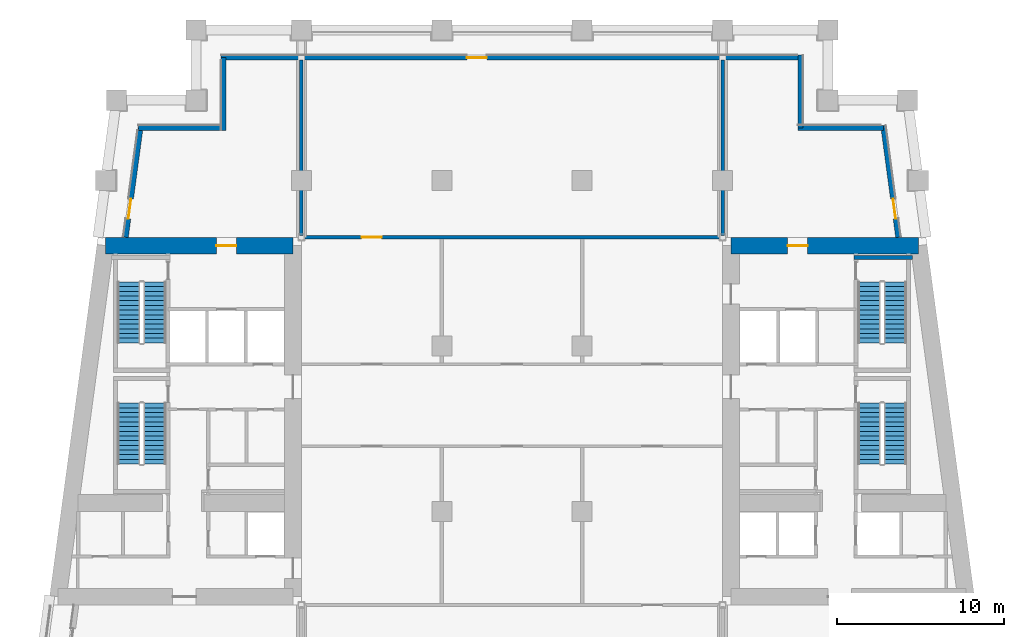
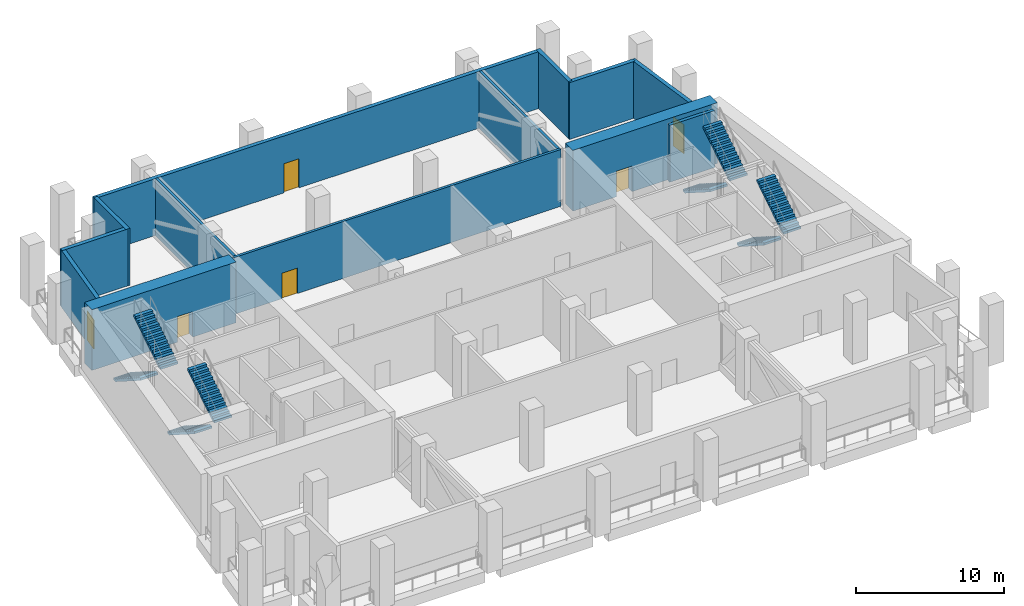
# One storey, part 7 of 11: 13 walls, 8 stair flights, 6 doors, 6 openings, 4 elements without a shape of their own.
"""IFC4 building model written with IfcOpenShell, lengths in metres."""

from ifc_helpers import new_model, si_unit, direction, frame, frame_2d, origin, place, context, subcontext, project, spatial, polyline, rectangle, outline, extrude, material, layer, layer_set, type_object, element, fill, aggregate, save


model = new_model("IFC4")

# Units and contexts
model_context = context("Model", 3, precision=1e-05, world=origin(), true_north=direction((0.0, 1.0)))
body_context = subcontext(model_context, "Body", "Model", "MODEL_VIEW")
ifc_project = project(units=[si_unit("LENGTHUNIT", "METRE"), si_unit("AREAUNIT", "SQUARE_METRE"), si_unit("VOLUMEUNIT", "CUBIC_METRE"), si_unit("PLANEANGLEUNIT", "RADIAN"), si_unit("MASSUNIT", "GRAM", prefix="KILO")], contexts=[model_context])

# Site, building, storey
site_placement = place(None, origin())
site = spatial("IfcSite", under=ifc_project, at=site_placement, CompositionType="ELEMENT")
building_placement = place(site_placement, origin())
building = spatial("IfcBuilding", under=site, at=building_placement, Name="Candeia Pilgrim Tower and Theatre", CompositionType="ELEMENT")
storey_placement = place(building_placement, frame((0.0, 0.0, 142.800048828125)))
storey = spatial("IfcBuildingStorey", under=building, at=storey_placement, Name="L33", CompositionType="ELEMENT", Elevation=142.800048828125)

# Wall, opening, door
ifc_material_1 = material(Name="Concrete C70/85", Category="concrete")
ifc_layer_1 = layer(ifc_material_1, 1.0)
ifc_layer_set_1 = layer_set([ifc_layer_1], Name="Core wall 1000 C70/85")
wall_type_1 = type_object("IfcWallType", Name="Core wall 1000 C70/85", PredefinedType="SHEAR", material=ifc_layer_set_1)
wall_1_placement = place(storey_placement, frame((89.06787109375, 131.89990234375, 0.0), z_axis=(0.0, 0.0, 1.0), x_axis=(1.0, 0.0, 0.0)))
wall_1 = element("IfcWall", 1, at=wall_1_placement, inside=storey, type_object=wall_type_1, Name="Core wall W1", PredefinedType="SHEAR", context=body_context, shape_type="SweptSolid", body=[
    extrude(rectangle(XDim=11.232177734375, YDim=1.0, at=frame_2d((5.6162109375, 0.0))), origin(), (0.0, 0.0, 1.0), 5.0),
])
opening_1_placement = place(wall_1_placement, frame((6.6455078125, 0.0, 0.0)))
opening_1 = element("IfcOpeningElement", 2, at=opening_1_placement, cuts=wall_1, Name="Opening L33-D026", PredefinedType="OPENING", context=body_context, shape_type="SweptSolid", body=[
    extrude(rectangle(XDim=1.199951171875, YDim=2.10009765625, at=frame_2d((0.60009765625, 1.050048828125))), frame((0.0, 0.510009765625, 0.0), z_axis=(0.0, -1.0, 0.0), x_axis=(1.0, 0.0, 0.0)), (0.0, 0.0, 1.0), 1.02001953125),
])
ifc_material_2 = material(Name="Steel fire door set", Category="steel")
door_type_1 = type_object("IfcDoorType", Name="D-1200-FD60", OperationType="NOTDEFINED", PredefinedType="DOOR", material=ifc_material_2)
door_1_placement = place(opening_1_placement, origin())
door_1 = element("IfcDoor", 3, at=door_1_placement, inside=storey, type_object=door_type_1, Name="Door L33-D026", OperationType="SINGLE_SWING_LEFT", OverallHeight=2.10009765625, OverallWidth=1.199951171875, PredefinedType="DOOR", context=body_context, shape_type="SweptSolid", body=[
    extrude(rectangle(XDim=1.199951171875, YDim=2.10009765625, at=frame_2d((0.60009765625, 1.050048828125))), frame((0.0, 0.02490234375, 0.0), z_axis=(0.0, -1.0, 0.0), x_axis=(1.0, 0.0, 0.0)), (0.0, 0.0, 1.0), 0.050048828125),
])
fill(opening_1, door_1)

wall_2_placement = place(storey_placement, frame((126.5, 131.89990234375, 0.0), z_axis=(0.0, 0.0, 1.0), x_axis=(1.0, 0.0, 0.0)))
wall_2 = element("IfcWall", 4, at=wall_2_placement, inside=storey, type_object=wall_type_1, Name="Core wall E1", PredefinedType="SHEAR", context=body_context, shape_type="SweptSolid", body=[
    extrude(rectangle(XDim=11.23193359375, YDim=1.0, at=frame_2d((5.615966796875, 0.0))), origin(), (0.0, 0.0, 1.0), 5.0),
])
opening_2_placement = place(wall_2_placement, frame((3.386474609375, 0.0, 0.0)))
opening_2 = element("IfcOpeningElement", 5, at=opening_2_placement, cuts=wall_2, Name="Opening L33-D028", PredefinedType="OPENING", context=body_context, shape_type="SweptSolid", body=[
    extrude(rectangle(XDim=1.199951171875, YDim=2.10009765625, at=frame_2d((0.60009765625, 1.050048828125))), frame((0.0, 0.510009765625, 0.0), z_axis=(0.0, -1.0, 0.0), x_axis=(1.0, 0.0, 0.0)), (0.0, 0.0, 1.0), 1.02001953125),
])
door_2_placement = place(opening_2_placement, origin())
door_2 = element("IfcDoor", 6, at=door_2_placement, inside=storey, type_object=door_type_1, Name="Door L33-D028", OperationType="SINGLE_SWING_LEFT", OverallHeight=2.10009765625, OverallWidth=1.199951171875, PredefinedType="DOOR", context=body_context, shape_type="SweptSolid", body=[
    extrude(rectangle(XDim=1.199951171875, YDim=2.10009765625, at=frame_2d((0.60009765625, 1.050048828125))), frame((0.0, 0.02490234375, 0.0), z_axis=(0.0, -1.0, 0.0), x_axis=(1.0, 0.0, 0.0)), (0.0, 0.0, 1.0), 0.050048828125),
])
fill(opening_2, door_2)

ifc_material_3 = material(Name="Ceramic block masonry", Category="masonry")
ifc_layer_2 = layer(ifc_material_3, 0.300048828125)
ifc_layer_set_2 = layer_set([ifc_layer_2], Name="EW1 glazing-line wall 300")
wall_type_2 = type_object("IfcWallType", Name="EW1 glazing-line wall 300", PredefinedType="SOLIDWALL", material=ifc_layer_set_2)
wall_3_placement = place(storey_placement, frame((136.50439453125, 132.39990234375, 0.0), z_axis=(0.0, 0.0, 1.0), x_axis=(-0.133399697462, 0.99106231929, 0.0)))
wall_3 = element("IfcWall", 7, at=wall_3_placement, inside=storey, type_object=wall_type_2, Name="External wall L33-3.1", PredefinedType="SOLIDWALL", context=body_context, shape_type="SweptSolid", body=[
    extrude(rectangle(XDim=6.740478515625, YDim=0.300048828125, at=frame_2d((3.3701171875, 0.0))), origin(), (0.0, 0.0, 1.0), 4.679931640625),
])
opening_3_placement = place(wall_3_placement, frame((1.115234375, 0.0, 0.0)))
opening_3 = element("IfcOpeningElement", 8, at=opening_3_placement, cuts=wall_3, Name="Opening L33-ED321", PredefinedType="OPENING", context=body_context, shape_type="SweptSolid", body=[
    extrude(rectangle(XDim=1.199951171875, YDim=2.39990234375, at=frame_2d((0.60009765625, 1.199951171875))), frame((0.0, 0.16015625, 0.0), z_axis=(0.0, -1.0, 0.0), x_axis=(1.0, 0.0, 0.0)), (0.0, 0.0, 1.0), 0.320068359375),
])
ifc_material_4 = material(Name="Aluminium framed glazed door", Category="aluminium")
door_type_2 = type_object("IfcDoorType", Name="Loggia door 1200x2400", OperationType="DOUBLE_DOOR_SINGLE_SWING", PredefinedType="DOOR", material=ifc_material_4)
door_3_placement = place(opening_3_placement, origin())
door_3 = element("IfcDoor", 9, at=door_3_placement, inside=storey, type_object=door_type_2, Name="Loggia door L33-ED321", OperationType="DOUBLE_DOOR_SINGLE_SWING", OverallHeight=2.39990234375, OverallWidth=1.199951171875, PredefinedType="DOOR", context=body_context, shape_type="SweptSolid", body=[
    extrude(rectangle(XDim=1.199951171875, YDim=2.39990234375, at=frame_2d((0.60009765625, 1.199951171875))), frame((0.0, 0.02490234375, 0.0), z_axis=(0.0, -1.0, 0.0), x_axis=(1.0, 0.0, 0.0)), (0.0, 0.0, 1.0), 0.050048828125),
])
fill(opening_3, door_3)

# Walls
wall_4_placement = place(storey_placement, frame((135.62255859375, 138.949951171875, 0.0), z_axis=(0.0, 0.0, 1.0), x_axis=(-1.0, 0.0, 0.0)))
element("IfcWall", 10, at=wall_4_placement, inside=storey, type_object=wall_type_2, Name="External wall L33-4.0", PredefinedType="SOLIDWALL", context=body_context, shape_type="SweptSolid", body=[
    extrude(rectangle(XDim=5.12255859375, YDim=0.300048828125, at=frame_2d((2.561279296875, 0.0))), origin(), (0.0, 0.0, 1.0), 4.679931640625),
])
wall_5_placement = place(storey_placement, frame((130.64990234375, 138.949951171875, 0.0), z_axis=(0.0, 0.0, 1.0), x_axis=(0.0, 1.0, 0.0)))
element("IfcWall", 11, at=wall_5_placement, inside=storey, type_object=wall_type_2, Name="External wall L33-5.0", PredefinedType="SOLIDWALL", context=body_context, shape_type="SweptSolid", body=[
    extrude(rectangle(XDim=4.35009765625, YDim=0.300048828125, at=frame_2d((2.175048828125, 0.0))), origin(), (0.0, 0.0, 1.0), 4.679931640625),
])

# Wall, opening, door
wall_6_placement = place(storey_placement, frame((130.64990234375, 143.14990234375, 0.0), z_axis=(0.0, 0.0, 1.0), x_axis=(-1.0, 0.0, 0.0)))
wall_6 = element("IfcWall", 12, at=wall_6_placement, inside=storey, type_object=wall_type_2, Name="External wall L33-6.0", PredefinedType="SOLIDWALL", context=body_context, shape_type="SweptSolid", body=[
    extrude(rectangle(XDim=34.64990234375, YDim=0.300048828125, at=frame_2d((17.324951171875, 0.0))), origin(), (0.0, 0.0, 1.0), 4.679931640625),
])
opening_4_placement = place(wall_6_placement, frame((18.75, 0.0, 0.0)))
opening_4 = element("IfcOpeningElement", 13, at=opening_4_placement, cuts=wall_6, Name="Opening L33-ED322", PredefinedType="OPENING", context=body_context, shape_type="SweptSolid", body=[
    extrude(rectangle(XDim=1.199951171875, YDim=2.39990234375, at=frame_2d((0.60009765625, 1.199951171875))), frame((0.0, 0.16015625, 0.0), z_axis=(0.0, -1.0, 0.0), x_axis=(1.0, 0.0, 0.0)), (0.0, 0.0, 1.0), 0.320068359375),
])
door_4_placement = place(opening_4_placement, origin())
door_4 = element("IfcDoor", 14, at=door_4_placement, inside=storey, type_object=door_type_2, Name="Loggia door L33-ED322", OperationType="DOUBLE_DOOR_SINGLE_SWING", OverallHeight=2.39990234375, OverallWidth=1.199951171875, PredefinedType="DOOR", context=body_context, shape_type="SweptSolid", body=[
    extrude(rectangle(XDim=1.199951171875, YDim=2.39990234375, at=frame_2d((0.60009765625, 1.199951171875))), frame((0.0, 0.02490234375, 0.0), z_axis=(0.0, -1.0, 0.0), x_axis=(1.0, 0.0, 0.0)), (0.0, 0.0, 1.0), 0.050048828125),
])
fill(opening_4, door_4)

# Walls
wall_7_placement = place(storey_placement, frame((96.14990234375, 143.14990234375, 0.0), z_axis=(0.0, 0.0, 1.0), x_axis=(0.0, -1.0, 0.0)))
element("IfcWall", 15, at=wall_7_placement, inside=storey, type_object=wall_type_2, Name="External wall L33-7.0", PredefinedType="SOLIDWALL", context=body_context, shape_type="SweptSolid", body=[
    extrude(rectangle(XDim=4.349853515625, YDim=0.300048828125, at=frame_2d((2.1748046875, 0.0))), origin(), (0.0, 0.0, 1.0), 4.679931640625),
])
wall_8_placement = place(storey_placement, frame((96.14990234375, 138.949951171875, 0.0), z_axis=(0.0, 0.0, 1.0), x_axis=(-1.0, 0.0, 0.0)))
element("IfcWall", 16, at=wall_8_placement, inside=storey, type_object=wall_type_2, Name="External wall L33-8.0", PredefinedType="SOLIDWALL", context=body_context, shape_type="SweptSolid", body=[
    extrude(rectangle(XDim=5.103759765625, YDim=0.300048828125, at=frame_2d((2.5517578125, 0.0))), origin(), (0.0, 0.0, 1.0), 4.679931640625),
])

# Wall, opening, door
wall_9_placement = place(storey_placement, frame((91.177490234375, 138.949951171875, 0.0), z_axis=(0.0, 0.0, 1.0), x_axis=(-0.133426664613, -0.991058689065, 0.0)))
wall_9 = element("IfcWall", 17, at=wall_9_placement, inside=storey, type_object=wall_type_2, Name="External wall L33-9.0", PredefinedType="SOLIDWALL", context=body_context, shape_type="SweptSolid", body=[
    extrude(rectangle(XDim=6.609130859375, YDim=0.300048828125, at=frame_2d((3.3046875, 0.0))), origin(), (0.0, 0.0, 1.0), 4.679931640625),
])
opening_5_placement = place(wall_9_placement, frame((4.293701171875, 0.0, 0.0)))
opening_5 = element("IfcOpeningElement", 18, at=opening_5_placement, cuts=wall_9, Name="Opening L33-ED323", PredefinedType="OPENING", context=body_context, shape_type="SweptSolid", body=[
    extrude(rectangle(XDim=1.199951171875, YDim=2.39990234375, at=frame_2d((0.60009765625, 1.199951171875))), frame((0.0, 0.16015625, 0.0), z_axis=(0.0, -1.0, 0.0), x_axis=(1.0, 0.0, 0.0)), (0.0, 0.0, 1.0), 0.320068359375),
])
door_5_placement = place(opening_5_placement, origin())
door_5 = element("IfcDoor", 19, at=door_5_placement, inside=storey, type_object=door_type_2, Name="Loggia door L33-ED323", OperationType="DOUBLE_DOOR_SINGLE_SWING", OverallHeight=2.39990234375, OverallWidth=1.199951171875, PredefinedType="DOOR", context=body_context, shape_type="SweptSolid", body=[
    extrude(rectangle(XDim=1.199951171875, YDim=2.39990234375, at=frame_2d((0.60009765625, 1.199951171875))), frame((0.0, 0.02490234375, 0.0), z_axis=(0.0, -1.0, 0.0), x_axis=(1.0, 0.0, 0.0)), (0.0, 0.0, 1.0), 0.050048828125),
])
fill(opening_5, door_5)

ifc_material_5 = material(Name="Gypsum board partition on steel studs", Category="steel")
ifc_layer_3 = layer(ifc_material_5, 0.199951171875)
ifc_layer_set_3 = layer_set([ifc_layer_3], Name="PW-200 party wall")
wall_type_3 = type_object("IfcWallType", Name="PW-200 party wall", PredefinedType="PARTITIONING", material=ifc_layer_set_3)
wall_10_placement = place(storey_placement, frame((100.699951171875, 132.39990234375, 0.0), z_axis=(0.0, 0.0, 1.0), x_axis=(1.0, 0.0, 0.0)))
wall_10 = element("IfcWall", 20, at=wall_10_placement, inside=storey, type_object=wall_type_3, Name="Party wall L33-032", PredefinedType="PARTITIONING", context=body_context, shape_type="SweptSolid", body=[
    extrude(rectangle(XDim=25.400146484375, YDim=0.199951171875, at=frame_2d((12.7001953125, 0.0))), origin(), (0.0, 0.0, 1.0), 4.679931640625),
])
opening_6_placement = place(wall_10_placement, frame((3.699951171875, 0.0, 0.0)))
opening_6 = element("IfcOpeningElement", 21, at=opening_6_placement, cuts=wall_10, Name="Opening L33-D008", PredefinedType="OPENING", context=body_context, shape_type="SweptSolid", body=[
    extrude(rectangle(XDim=1.199951171875, YDim=2.10009765625, at=frame_2d((0.60009765625, 1.050048828125))), frame((0.0, 0.10986328125, 0.0), z_axis=(0.0, -1.0, 0.0), x_axis=(1.0, 0.0, 0.0)), (0.0, 0.0, 1.0), 0.219970703125),
])
door_6_placement = place(opening_6_placement, origin())
door_6 = element("IfcDoor", 22, at=door_6_placement, inside=storey, type_object=door_type_1, Name="Door L33-D008", OperationType="SINGLE_SWING_LEFT", OverallHeight=2.10009765625, OverallWidth=1.199951171875, PredefinedType="DOOR", context=body_context, shape_type="SweptSolid", body=[
    extrude(rectangle(XDim=1.199951171875, YDim=2.10009765625, at=frame_2d((0.60009765625, 1.050048828125))), frame((0.0, 0.02490234375, 0.0), z_axis=(0.0, -1.0, 0.0), x_axis=(1.0, 0.0, 0.0)), (0.0, 0.0, 1.0), 0.050048828125),
])
fill(opening_6, door_6)

# Walls
for number, where, z_axis, x_axis, name in (
    (23, (100.800048828125, 132.5, 0.0), (0.0, 0.0, 1.0), (0.0, 1.0, 0.0), "Party wall L33-051"),
    (24, (126.0, 132.5, 0.0), (0.0, 0.0, 1.0), (0.0, 1.0, 0.0), "Party wall L33-057"),
):
    element("IfcWall", number, at=place(storey_placement, frame(where, z_axis=z_axis, x_axis=x_axis)), inside=storey, type_object=wall_type_3, Name=name, PredefinedType="PARTITIONING", context=body_context, shape_type="SweptSolid", body=[
        extrude(rectangle(XDim=10.510009765625, YDim=0.199951171875, at=frame_2d((5.2548828125, 0.0))), origin(), (0.0, 0.0, 1.0), 4.679931640625),
    ])
ifc_material_6 = material(Name="Concrete C40/50", Category="concrete")
ifc_layer_4 = layer(ifc_material_6, 0.25)
ifc_layer_set_4 = layer_set([ifc_layer_4], Name="SW-250 stair wall")
wall_type_4 = type_object("IfcWallType", Name="SW-250 stair wall", PredefinedType="PARTITIONING", material=ifc_layer_set_4)
wall_11_placement = place(storey_placement, frame((133.847900390625, 131.199951171875, 0.0), z_axis=(0.0, 0.0, 1.0), x_axis=(1.0, 0.0, 0.0)))
element("IfcWall", 25, at=wall_11_placement, inside=storey, type_object=wall_type_4, Name="Stair wall L33-031", PredefinedType="PARTITIONING", context=body_context, shape_type="SweptSolid", body=[
    extrude(rectangle(XDim=3.50390625, YDim=0.25, at=frame_2d((1.751953125, 0.0))), origin(), (0.0, 0.0, 1.0), 4.679931640625),
])

# Stair, stair flights
stair_type = type_object("IfcStairType", Name="ST-TWR dog-leg escape stair", PredefinedType="HALF_TURN_STAIR", material=ifc_material_6)
stair_1_placement = place(storey_placement, origin())
stair_1 = element("IfcStair", 26, at=stair_1_placement, inside=storey, type_object=stair_type, Name="L33 Escape stair ST1", PredefinedType="HALF_TURN_STAIR")
stair_flight_type = type_object("IfcStairFlightType", Name="SFL-RC stair flight", PredefinedType="STRAIGHT", material=ifc_material_6)
stair_flight_1_placement = place(storey_placement, frame((90.47705078125, 122.47509765625, 0.0), z_axis=(0.0, 0.0, 1.0), x_axis=(0.0, -1.0, 0.0)))
stair_flight_1 = element("IfcStairFlight", 27, at=stair_flight_1_placement, type_object=stair_flight_type, Name="ST1 flight 1", NumberOfRisers=14, NumberOfTreads=13, PredefinedType="STRAIGHT", RiserHeight=0.178571429, TreadLength=0.28, context=body_context, shape_type="SweptSolid", body=[
    extrude(outline(polyline([(0.0, 0.0), (0.0, 0.178466796875), (0.280029296875, 0.178466796875), (0.280029296875, 0.357177734375), (0.56005859375, 0.357177734375), (0.56005859375, 0.53564453125), (0.840087890625, 0.53564453125), (0.840087890625, 0.71435546875), (1.1201171875, 0.71435546875), (1.1201171875, 0.892822265625), (1.39990234375, 0.892822265625), (1.39990234375, 1.071533203125), (1.679931640625, 1.071533203125), (1.679931640625, 1.25), (1.9599609375, 1.25), (1.9599609375, 1.428466796875), (2.239990234375, 1.428466796875), (2.239990234375, 1.607177734375), (2.52001953125, 1.607177734375), (2.52001953125, 1.78564453125), (2.800048828125, 1.78564453125), (2.800048828125, 1.96435546875), (3.080078125, 1.96435546875), (3.080078125, 2.142822265625), (3.360107421875, 2.142822265625), (3.360107421875, 2.321533203125), (3.639892578125, 2.321533203125), (3.639892578125, 2.5), (3.639892578125, 2.1435546875), (0.27880859375, 0.0), (0.0, 0.0)])), frame((0.0, 0.675048828125, 0.0), z_axis=(0.0, -1.0, 0.0), x_axis=(1.0, 0.0, 0.0)), (0.0, 0.0, 1.0), 1.35009765625),
])
stair_flight_2_placement = place(storey_placement, frame((92.027099609375, 118.8349609375, 2.5), z_axis=(0.0, 0.0, 1.0), x_axis=(0.0, 1.0, 0.0)))
stair_flight_2 = element("IfcStairFlight", 28, at=stair_flight_2_placement, type_object=stair_flight_type, Name="ST1 flight 2", NumberOfRisers=14, NumberOfTreads=13, PredefinedType="STRAIGHT", RiserHeight=0.178571429, TreadLength=0.28, context=body_context, shape_type="SweptSolid", body=[
    extrude(outline(polyline([(0.0, 0.0), (0.0, 0.178466796875), (0.280029296875, 0.178466796875), (0.280029296875, 0.357177734375), (0.56005859375, 0.357177734375), (0.56005859375, 0.53564453125), (0.840087890625, 0.53564453125), (0.840087890625, 0.71435546875), (1.1201171875, 0.71435546875), (1.1201171875, 0.892822265625), (1.39990234375, 0.892822265625), (1.39990234375, 1.071533203125), (1.679931640625, 1.071533203125), (1.679931640625, 1.25), (1.9599609375, 1.25), (1.9599609375, 1.428466796875), (2.239990234375, 1.428466796875), (2.239990234375, 1.607177734375), (2.52001953125, 1.607177734375), (2.52001953125, 1.78564453125), (2.800048828125, 1.78564453125), (2.800048828125, 1.96435546875), (3.080078125, 1.96435546875), (3.080078125, 2.142822265625), (3.360107421875, 2.142822265625), (3.360107421875, 2.321533203125), (3.639892578125, 2.321533203125), (3.639892578125, 2.5), (3.639892578125, 2.1435546875), (0.27880859375, 0.0), (0.0, 0.0)])), frame((0.0, 0.675048828125, 0.0), z_axis=(0.0, -1.0, 0.0), x_axis=(1.0, 0.0, 0.0)), (0.0, 0.0, 1.0), 1.35009765625),
])
aggregate(stair_1, [stair_flight_1, stair_flight_2])

stair_2_placement = place(storey_placement, origin())
stair_2 = element("IfcStair", 29, at=stair_2_placement, inside=storey, type_object=stair_type, Name="L33 Escape stair ST2", PredefinedType="HALF_TURN_STAIR")
stair_flight_3_placement = place(storey_placement, frame((90.47705078125, 129.72509765625, 0.0), z_axis=(0.0, 0.0, 1.0), x_axis=(0.0, -1.0, 0.0)))
stair_flight_3 = element("IfcStairFlight", 30, at=stair_flight_3_placement, type_object=stair_flight_type, Name="ST2 flight 1", NumberOfRisers=14, NumberOfTreads=13, PredefinedType="STRAIGHT", RiserHeight=0.178571429, TreadLength=0.28, context=body_context, shape_type="SweptSolid", body=[
    extrude(outline(polyline([(0.0, 0.0), (0.0, 0.178466796875), (0.280029296875, 0.178466796875), (0.280029296875, 0.357177734375), (0.56005859375, 0.357177734375), (0.56005859375, 0.53564453125), (0.840087890625, 0.53564453125), (0.840087890625, 0.71435546875), (1.1201171875, 0.71435546875), (1.1201171875, 0.892822265625), (1.39990234375, 0.892822265625), (1.39990234375, 1.071533203125), (1.679931640625, 1.071533203125), (1.679931640625, 1.25), (1.9599609375, 1.25), (1.9599609375, 1.428466796875), (2.239990234375, 1.428466796875), (2.239990234375, 1.607177734375), (2.52001953125, 1.607177734375), (2.52001953125, 1.78564453125), (2.800048828125, 1.78564453125), (2.800048828125, 1.96435546875), (3.080078125, 1.96435546875), (3.080078125, 2.142822265625), (3.360107421875, 2.142822265625), (3.360107421875, 2.321533203125), (3.639892578125, 2.321533203125), (3.639892578125, 2.5), (3.639892578125, 2.1435546875), (0.27880859375, 0.0), (0.0, 0.0)])), frame((0.0, 0.675048828125, 0.0), z_axis=(0.0, -1.0, 0.0), x_axis=(1.0, 0.0, 0.0)), (0.0, 0.0, 1.0), 1.35009765625),
])
stair_flight_4_placement = place(storey_placement, frame((92.027099609375, 126.0849609375, 2.5), z_axis=(0.0, 0.0, 1.0), x_axis=(0.0, 1.0, 0.0)))
stair_flight_4 = element("IfcStairFlight", 31, at=stair_flight_4_placement, type_object=stair_flight_type, Name="ST2 flight 2", NumberOfRisers=14, NumberOfTreads=13, PredefinedType="STRAIGHT", RiserHeight=0.178571429, TreadLength=0.28, context=body_context, shape_type="SweptSolid", body=[
    extrude(outline(polyline([(0.0, 0.0), (0.0, 0.178466796875), (0.280029296875, 0.178466796875), (0.280029296875, 0.357177734375), (0.56005859375, 0.357177734375), (0.56005859375, 0.53564453125), (0.840087890625, 0.53564453125), (0.840087890625, 0.71435546875), (1.1201171875, 0.71435546875), (1.1201171875, 0.892822265625), (1.39990234375, 0.892822265625), (1.39990234375, 1.071533203125), (1.679931640625, 1.071533203125), (1.679931640625, 1.25), (1.9599609375, 1.25), (1.9599609375, 1.428466796875), (2.239990234375, 1.428466796875), (2.239990234375, 1.607177734375), (2.52001953125, 1.607177734375), (2.52001953125, 1.78564453125), (2.800048828125, 1.78564453125), (2.800048828125, 1.96435546875), (3.080078125, 1.96435546875), (3.080078125, 2.142822265625), (3.360107421875, 2.142822265625), (3.360107421875, 2.321533203125), (3.639892578125, 2.321533203125), (3.639892578125, 2.5), (3.639892578125, 2.1435546875), (0.27880859375, 0.0), (0.0, 0.0)])), frame((0.0, 0.675048828125, 0.0), z_axis=(0.0, -1.0, 0.0), x_axis=(1.0, 0.0, 0.0)), (0.0, 0.0, 1.0), 1.35009765625),
])
aggregate(stair_2, [stair_flight_3, stair_flight_4])

stair_3_placement = place(storey_placement, origin())
stair_3 = element("IfcStair", 32, at=stair_3_placement, inside=storey, type_object=stair_type, Name="L33 Escape stair ST3", PredefinedType="HALF_TURN_STAIR")
stair_flight_5_placement = place(storey_placement, frame((134.77294921875, 122.47509765625, 0.0), z_axis=(0.0, 0.0, 1.0), x_axis=(0.0, -1.0, 0.0)))
stair_flight_5 = element("IfcStairFlight", 33, at=stair_flight_5_placement, type_object=stair_flight_type, Name="ST3 flight 1", NumberOfRisers=14, NumberOfTreads=13, PredefinedType="STRAIGHT", RiserHeight=0.178571429, TreadLength=0.28, context=body_context, shape_type="SweptSolid", body=[
    extrude(outline(polyline([(0.0, 0.0), (0.0, 0.178466796875), (0.280029296875, 0.178466796875), (0.280029296875, 0.357177734375), (0.56005859375, 0.357177734375), (0.56005859375, 0.53564453125), (0.840087890625, 0.53564453125), (0.840087890625, 0.71435546875), (1.1201171875, 0.71435546875), (1.1201171875, 0.892822265625), (1.39990234375, 0.892822265625), (1.39990234375, 1.071533203125), (1.679931640625, 1.071533203125), (1.679931640625, 1.25), (1.9599609375, 1.25), (1.9599609375, 1.428466796875), (2.239990234375, 1.428466796875), (2.239990234375, 1.607177734375), (2.52001953125, 1.607177734375), (2.52001953125, 1.78564453125), (2.800048828125, 1.78564453125), (2.800048828125, 1.96435546875), (3.080078125, 1.96435546875), (3.080078125, 2.142822265625), (3.360107421875, 2.142822265625), (3.360107421875, 2.321533203125), (3.639892578125, 2.321533203125), (3.639892578125, 2.5), (3.639892578125, 2.1435546875), (0.27880859375, 0.0), (0.0, 0.0)])), frame((0.0, 0.675048828125, 0.0), z_axis=(0.0, -1.0, 0.0), x_axis=(1.0, 0.0, 0.0)), (0.0, 0.0, 1.0), 1.35009765625),
])
stair_flight_6_placement = place(storey_placement, frame((136.322998046875, 118.8349609375, 2.5), z_axis=(0.0, 0.0, 1.0), x_axis=(0.0, 1.0, 0.0)))
stair_flight_6 = element("IfcStairFlight", 34, at=stair_flight_6_placement, type_object=stair_flight_type, Name="ST3 flight 2", NumberOfRisers=14, NumberOfTreads=13, PredefinedType="STRAIGHT", RiserHeight=0.178571429, TreadLength=0.28, context=body_context, shape_type="SweptSolid", body=[
    extrude(outline(polyline([(0.0, 0.0), (0.0, 0.178466796875), (0.280029296875, 0.178466796875), (0.280029296875, 0.357177734375), (0.56005859375, 0.357177734375), (0.56005859375, 0.53564453125), (0.840087890625, 0.53564453125), (0.840087890625, 0.71435546875), (1.1201171875, 0.71435546875), (1.1201171875, 0.892822265625), (1.39990234375, 0.892822265625), (1.39990234375, 1.071533203125), (1.679931640625, 1.071533203125), (1.679931640625, 1.25), (1.9599609375, 1.25), (1.9599609375, 1.428466796875), (2.239990234375, 1.428466796875), (2.239990234375, 1.607177734375), (2.52001953125, 1.607177734375), (2.52001953125, 1.78564453125), (2.800048828125, 1.78564453125), (2.800048828125, 1.96435546875), (3.080078125, 1.96435546875), (3.080078125, 2.142822265625), (3.360107421875, 2.142822265625), (3.360107421875, 2.321533203125), (3.639892578125, 2.321533203125), (3.639892578125, 2.5), (3.639892578125, 2.1435546875), (0.27880859375, 0.0), (0.0, 0.0)])), frame((0.0, 0.675048828125, 0.0), z_axis=(0.0, -1.0, 0.0), x_axis=(1.0, 0.0, 0.0)), (0.0, 0.0, 1.0), 1.35009765625),
])
aggregate(stair_3, [stair_flight_5, stair_flight_6])

stair_4_placement = place(storey_placement, origin())
stair_4 = element("IfcStair", 35, at=stair_4_placement, inside=storey, type_object=stair_type, Name="L33 Escape stair ST4", PredefinedType="HALF_TURN_STAIR")
stair_flight_7_placement = place(storey_placement, frame((134.77294921875, 129.72509765625, 0.0), z_axis=(0.0, 0.0, 1.0), x_axis=(0.0, -1.0, 0.0)))
stair_flight_7 = element("IfcStairFlight", 36, at=stair_flight_7_placement, type_object=stair_flight_type, Name="ST4 flight 1", NumberOfRisers=14, NumberOfTreads=13, PredefinedType="STRAIGHT", RiserHeight=0.178571429, TreadLength=0.28, context=body_context, shape_type="SweptSolid", body=[
    extrude(outline(polyline([(0.0, 0.0), (0.0, 0.178466796875), (0.280029296875, 0.178466796875), (0.280029296875, 0.357177734375), (0.56005859375, 0.357177734375), (0.56005859375, 0.53564453125), (0.840087890625, 0.53564453125), (0.840087890625, 0.71435546875), (1.1201171875, 0.71435546875), (1.1201171875, 0.892822265625), (1.39990234375, 0.892822265625), (1.39990234375, 1.071533203125), (1.679931640625, 1.071533203125), (1.679931640625, 1.25), (1.9599609375, 1.25), (1.9599609375, 1.428466796875), (2.239990234375, 1.428466796875), (2.239990234375, 1.607177734375), (2.52001953125, 1.607177734375), (2.52001953125, 1.78564453125), (2.800048828125, 1.78564453125), (2.800048828125, 1.96435546875), (3.080078125, 1.96435546875), (3.080078125, 2.142822265625), (3.360107421875, 2.142822265625), (3.360107421875, 2.321533203125), (3.639892578125, 2.321533203125), (3.639892578125, 2.5), (3.639892578125, 2.1435546875), (0.27880859375, 0.0), (0.0, 0.0)])), frame((0.0, 0.675048828125, 0.0), z_axis=(0.0, -1.0, 0.0), x_axis=(1.0, 0.0, 0.0)), (0.0, 0.0, 1.0), 1.35009765625),
])
stair_flight_8_placement = place(storey_placement, frame((136.322998046875, 126.0849609375, 2.5), z_axis=(0.0, 0.0, 1.0), x_axis=(0.0, 1.0, 0.0)))
stair_flight_8 = element("IfcStairFlight", 37, at=stair_flight_8_placement, type_object=stair_flight_type, Name="ST4 flight 2", NumberOfRisers=14, NumberOfTreads=13, PredefinedType="STRAIGHT", RiserHeight=0.178571429, TreadLength=0.28, context=body_context, shape_type="SweptSolid", body=[
    extrude(outline(polyline([(0.0, 0.0), (0.0, 0.178466796875), (0.280029296875, 0.178466796875), (0.280029296875, 0.357177734375), (0.56005859375, 0.357177734375), (0.56005859375, 0.53564453125), (0.840087890625, 0.53564453125), (0.840087890625, 0.71435546875), (1.1201171875, 0.71435546875), (1.1201171875, 0.892822265625), (1.39990234375, 0.892822265625), (1.39990234375, 1.071533203125), (1.679931640625, 1.071533203125), (1.679931640625, 1.25), (1.9599609375, 1.25), (1.9599609375, 1.428466796875), (2.239990234375, 1.428466796875), (2.239990234375, 1.607177734375), (2.52001953125, 1.607177734375), (2.52001953125, 1.78564453125), (2.800048828125, 1.78564453125), (2.800048828125, 1.96435546875), (3.080078125, 1.96435546875), (3.080078125, 2.142822265625), (3.360107421875, 2.142822265625), (3.360107421875, 2.321533203125), (3.639892578125, 2.321533203125), (3.639892578125, 2.5), (3.639892578125, 2.1435546875), (0.27880859375, 0.0), (0.0, 0.0)])), frame((0.0, 0.675048828125, 0.0), z_axis=(0.0, -1.0, 0.0), x_axis=(1.0, 0.0, 0.0)), (0.0, 0.0, 1.0), 1.35009765625),
])
aggregate(stair_4, [stair_flight_7, stair_flight_8])

save(model, "model.ifc")
